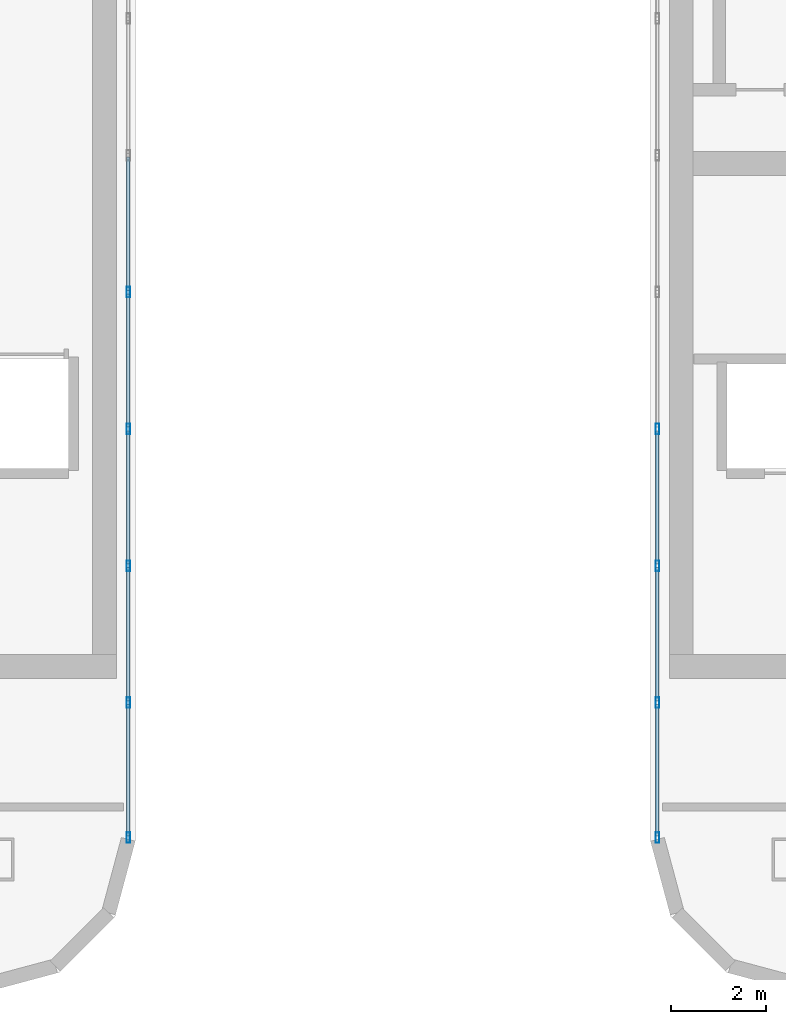
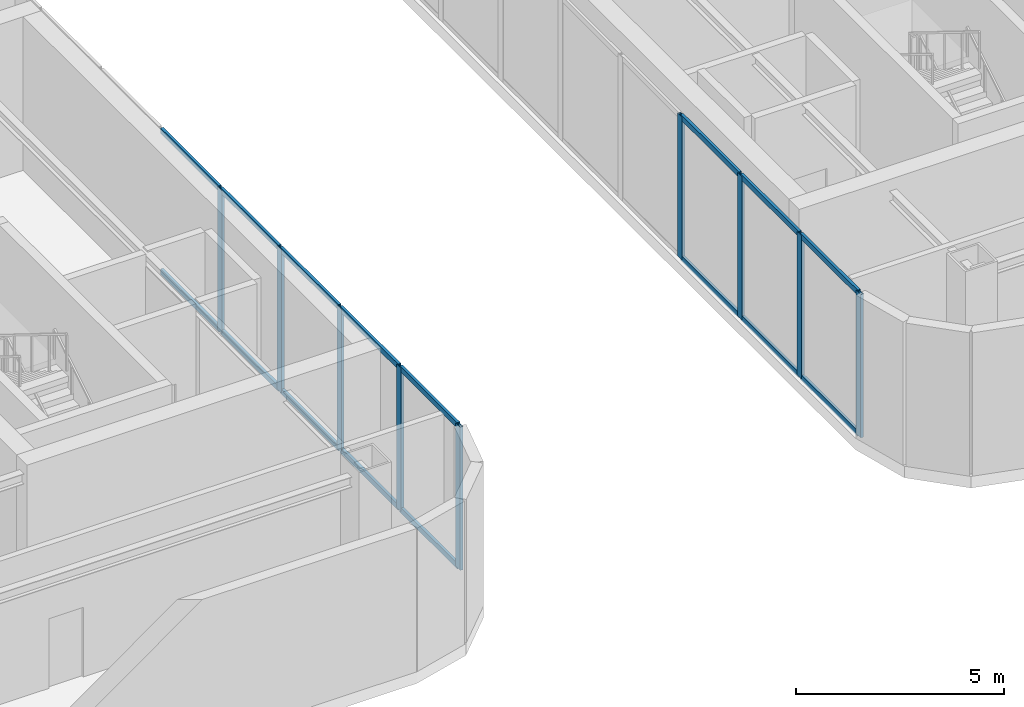
# One storey, part 2 of 14: 25 members, 2 elements without a shape of their own.
"""IFC4 building model written with IfcOpenShell, lengths in metres."""

from ifc_helpers import new_model, si_unit, direction, frame, origin, origin_2d, place, context, subcontext, project, spatial, hollow_rectangle, extrude, material, layer, layer_set, material_profile, profile_set, type_object, element, aggregate, save


model = new_model("IFC4")

# Units and contexts
model_context = context("Model", 3, precision=1e-05, world=origin(), true_north=direction((0.0, 1.0)))
body_context = subcontext(model_context, "Body", "Model", "MODEL_VIEW")
ifc_project = project(units=[si_unit("LENGTHUNIT", "METRE"), si_unit("AREAUNIT", "SQUARE_METRE"), si_unit("VOLUMEUNIT", "CUBIC_METRE"), si_unit("PLANEANGLEUNIT", "RADIAN"), si_unit("MASSUNIT", "GRAM", prefix="KILO")], contexts=[model_context])

# Site, building, storey
site_placement = place(None, origin())
site = spatial("IfcSite", under=ifc_project, at=site_placement, CompositionType="ELEMENT")
building_placement = place(site_placement, origin())
building = spatial("IfcBuilding", under=site, at=building_placement, Name="Kiyonajd Concourse Tower", CompositionType="ELEMENT")
storey_placement = place(building_placement, frame((0.0, 0.0, 359.39990234375)))
storey = spatial("IfcBuildingStorey", under=building, at=storey_placement, Name="L90", CompositionType="ELEMENT", Elevation=359.39990234375)

# Curtain wall, members
ifc_material = material(Name="Thermally Broken Anodised Aluminium", Category="aluminium")
ifc_layer = layer(ifc_material, 0.179931640625)
ifc_layer_set = layer_set([ifc_layer], Name="Thermally Broken Anodised Aluminium")
curtain_wall_type = type_object("IfcCurtainWallType", Name="CW-SYS-06", PredefinedType="NOTDEFINED", material=ifc_layer_set)
curtain_wall_1_placement = place(storey_placement, origin())
curtain_wall_1 = element("IfcCurtainWall", 1, at=curtain_wall_1_placement, inside=storey, type_object=curtain_wall_type, Name="L90 Unitised Curtain Wall CW6", PredefinedType="NOTDEFINED")
ifc_material_profile_1 = material_profile(ifc_material, hollow_rectangle(XDim=0.074951171875, YDim=0.219970703125, WallThickness=0.0048828125, at=origin_2d()), Name="MULL-75x220")
ifc_profile_set_1 = profile_set([ifc_material_profile_1], Name="Thermally Broken Anodised Aluminium")
member_type_1 = type_object("IfcMemberType", Name="MB-CW-MULL2", PredefinedType="MULLION", material=ifc_profile_set_1)
member_1_placement = place(storey_placement, frame((42.449951171875, 35.699951171875, 0.0), z_axis=(0.0, 0.0, 1.0), x_axis=(1.0, 0.0, 0.0)))
member_1 = element("IfcMember", 2, at=member_1_placement, type_object=member_type_1, Name="CW6 mullion 5", PredefinedType="MULLION", context=body_context, shape_type="SweptSolid", body=[
    extrude(hollow_rectangle(XDim=0.074951171875, YDim=0.219970703125, WallThickness=0.0048828125, at=origin_2d()), origin(), (0.0, 0.0, 1.0), 4.2001953125),
])
member_2_placement = place(storey_placement, frame((42.449951171875, 32.829833984375, 0.0), z_axis=(0.0, 0.0, 1.0), x_axis=(1.0, 0.0, 0.0)))
member_2 = element("IfcMember", 3, at=member_2_placement, type_object=member_type_1, Name="CW6 mullion 6", PredefinedType="MULLION", context=body_context, shape_type="SweptSolid", body=[
    extrude(hollow_rectangle(XDim=0.074951171875, YDim=0.219970703125, WallThickness=0.0048828125, at=origin_2d()), origin(), (0.0, 0.0, 1.0), 4.2001953125),
])
member_3_placement = place(storey_placement, frame((42.449951171875, 29.9599609375, 0.0), z_axis=(0.0, 0.0, 1.0), x_axis=(1.0, 0.0, 0.0)))
member_3 = element("IfcMember", 4, at=member_3_placement, type_object=member_type_1, Name="CW6 mullion 7", PredefinedType="MULLION", context=body_context, shape_type="SweptSolid", body=[
    extrude(hollow_rectangle(XDim=0.074951171875, YDim=0.219970703125, WallThickness=0.0048828125, at=origin_2d()), origin(), (0.0, 0.0, 1.0), 4.2001953125),
])
member_4_placement = place(storey_placement, frame((42.449951171875, 27.08984375, 0.0), z_axis=(0.0, 0.0, 1.0), x_axis=(1.0, 0.0, 0.0)))
member_4 = element("IfcMember", 5, at=member_4_placement, type_object=member_type_1, Name="CW6 mullion 8", PredefinedType="MULLION", context=body_context, shape_type="SweptSolid", body=[
    extrude(hollow_rectangle(XDim=0.074951171875, YDim=0.219970703125, WallThickness=0.0048828125, at=origin_2d()), origin(), (0.0, 0.0, 1.0), 4.2001953125),
])
member_5_placement = place(storey_placement, frame((42.449951171875, 24.25732421875, 0.0), z_axis=(0.0, 0.0, 1.0), x_axis=(1.0, 0.0, 0.0)))
member_5 = element("IfcMember", 6, at=member_5_placement, type_object=member_type_1, Name="CW6 mullion 9", PredefinedType="MULLION", context=body_context, shape_type="SweptSolid", body=[
    extrude(hollow_rectangle(XDim=0.074951171875, YDim=0.219970703125, WallThickness=0.0048828125, at=origin_2d()), origin(), (0.0, 0.0, 1.0), 4.2001953125),
])

curtain_wall_2_placement = place(storey_placement, origin())
curtain_wall_2 = element("IfcCurtainWall", 7, at=curtain_wall_2_placement, inside=storey, type_object=curtain_wall_type, Name="L90 Unitised Curtain Wall CW6", PredefinedType="NOTDEFINED")
member_6_placement = place(storey_placement, frame((53.550048828125, 24.25732421875, 0.0), z_axis=(0.0, 0.0, 1.0), x_axis=(-1.0, 0.0, 0.0)))
member_6 = element("IfcMember", 8, at=member_6_placement, type_object=member_type_1, Name="CW6 mullion 1", PredefinedType="MULLION", context=body_context, shape_type="SweptSolid", body=[
    extrude(hollow_rectangle(XDim=0.074951171875, YDim=0.219970703125, WallThickness=0.0048828125, at=origin_2d()), origin(), (0.0, 0.0, 1.0), 4.2001953125),
])
member_7_placement = place(storey_placement, frame((53.550048828125, 27.08984375, 0.0), z_axis=(0.0, 0.0, 1.0), x_axis=(-1.0, 0.0, 0.0)))
member_7 = element("IfcMember", 9, at=member_7_placement, type_object=member_type_1, Name="CW6 mullion 2", PredefinedType="MULLION", context=body_context, shape_type="SweptSolid", body=[
    extrude(hollow_rectangle(XDim=0.074951171875, YDim=0.219970703125, WallThickness=0.0048828125, at=origin_2d()), origin(), (0.0, 0.0, 1.0), 4.2001953125),
])
member_8_placement = place(storey_placement, frame((53.550048828125, 29.9599609375, 0.0), z_axis=(0.0, 0.0, 1.0), x_axis=(-1.0, 0.0, 0.0)))
member_8 = element("IfcMember", 10, at=member_8_placement, type_object=member_type_1, Name="CW6 mullion 3", PredefinedType="MULLION", context=body_context, shape_type="SweptSolid", body=[
    extrude(hollow_rectangle(XDim=0.074951171875, YDim=0.219970703125, WallThickness=0.0048828125, at=origin_2d()), origin(), (0.0, 0.0, 1.0), 4.2001953125),
])
member_9_placement = place(storey_placement, frame((53.550048828125, 32.829833984375, 0.0), z_axis=(0.0, 0.0, 1.0), x_axis=(-1.0, 0.0, 0.0)))
member_9 = element("IfcMember", 11, at=member_9_placement, type_object=member_type_1, Name="CW6 mullion 4", PredefinedType="MULLION", context=body_context, shape_type="SweptSolid", body=[
    extrude(hollow_rectangle(XDim=0.074951171875, YDim=0.219970703125, WallThickness=0.0048828125, at=origin_2d()), origin(), (0.0, 0.0, 1.0), 4.2001953125),
])

# Member
ifc_material_profile_2 = material_profile(ifc_material, hollow_rectangle(XDim=0.074951171875, YDim=0.159912109375, WallThickness=0.0048828125, at=origin_2d()), Name="TRAN-75x160")
ifc_profile_set_2 = profile_set([ifc_material_profile_2], Name="Thermally Broken Anodised Aluminium")
member_type_2 = type_object("IfcMemberType", Name="MB-CW-TRAN2", PredefinedType="USERDEFINED", material=ifc_profile_set_2)
member_10_placement = place(storey_placement, frame((42.449951171875, 38.532470703125, 0.03759765625), z_axis=(0.0, -1.0, 0.0), x_axis=(1.0, 0.0, 0.0)))
member_10 = element("IfcMember", 12, at=member_10_placement, type_object=member_type_2, Name="CW6 transom 4.1", ObjectType="TRANSOM", PredefinedType="USERDEFINED", context=body_context, shape_type="SweptSolid", body=[
    extrude(hollow_rectangle(XDim=0.074951171875, YDim=0.159912109375, WallThickness=0.0048828125, at=origin_2d()), origin(), (0.0, 0.0, 1.0), 2.794921875),
])

member_11_placement = place(storey_placement, frame((42.449951171875, 38.532470703125, 4.16259765625), z_axis=(0.0, -1.0, 0.0), x_axis=(1.0, 0.0, 0.0)))
member_11 = element("IfcMember", 13, at=member_11_placement, type_object=member_type_2, Name="CW6 transom 4.2", ObjectType="TRANSOM", PredefinedType="USERDEFINED", context=body_context, shape_type="SweptSolid", body=[
    extrude(hollow_rectangle(XDim=0.074951171875, YDim=0.159912109375, WallThickness=0.0048828125, at=origin_2d()), origin(), (0.0, 0.0, 1.0), 2.794921875),
])

member_12_placement = place(storey_placement, frame((42.449951171875, 35.66259765625, 0.03759765625), z_axis=(0.0, -1.0, 0.0), x_axis=(1.0, 0.0, 0.0)))
member_12 = element("IfcMember", 14, at=member_12_placement, type_object=member_type_2, Name="CW6 transom 5.1", ObjectType="TRANSOM", PredefinedType="USERDEFINED", context=body_context, shape_type="SweptSolid", body=[
    extrude(hollow_rectangle(XDim=0.074951171875, YDim=0.159912109375, WallThickness=0.0048828125, at=origin_2d()), origin(), (0.0, 0.0, 1.0), 2.795166015625),
])

member_13_placement = place(storey_placement, frame((42.449951171875, 35.66259765625, 4.16259765625), z_axis=(0.0, -1.0, 0.0), x_axis=(1.0, 0.0, 0.0)))
member_13 = element("IfcMember", 15, at=member_13_placement, type_object=member_type_2, Name="CW6 transom 5.2", ObjectType="TRANSOM", PredefinedType="USERDEFINED", context=body_context, shape_type="SweptSolid", body=[
    extrude(hollow_rectangle(XDim=0.074951171875, YDim=0.159912109375, WallThickness=0.0048828125, at=origin_2d()), origin(), (0.0, 0.0, 1.0), 2.795166015625),
])

member_14_placement = place(storey_placement, frame((42.449951171875, 32.79248046875, 0.03759765625), z_axis=(0.0, -1.0, 0.0), x_axis=(1.0, 0.0, 0.0)))
member_14 = element("IfcMember", 16, at=member_14_placement, type_object=member_type_2, Name="CW6 transom 6.1", ObjectType="TRANSOM", PredefinedType="USERDEFINED", context=body_context, shape_type="SweptSolid", body=[
    extrude(hollow_rectangle(XDim=0.074951171875, YDim=0.159912109375, WallThickness=0.0048828125, at=origin_2d()), origin(), (0.0, 0.0, 1.0), 2.795166015625),
])

member_15_placement = place(storey_placement, frame((42.449951171875, 32.79248046875, 4.16259765625), z_axis=(0.0, -1.0, 0.0), x_axis=(1.0, 0.0, 0.0)))
member_15 = element("IfcMember", 17, at=member_15_placement, type_object=member_type_2, Name="CW6 transom 6.2", ObjectType="TRANSOM", PredefinedType="USERDEFINED", context=body_context, shape_type="SweptSolid", body=[
    extrude(hollow_rectangle(XDim=0.074951171875, YDim=0.159912109375, WallThickness=0.0048828125, at=origin_2d()), origin(), (0.0, 0.0, 1.0), 2.795166015625),
])

member_16_placement = place(storey_placement, frame((42.449951171875, 29.92236328125, 0.03759765625), z_axis=(0.0, -1.0, 0.0), x_axis=(1.0, 0.0, 0.0)))
member_16 = element("IfcMember", 18, at=member_16_placement, type_object=member_type_2, Name="CW6 transom 7.1", ObjectType="TRANSOM", PredefinedType="USERDEFINED", context=body_context, shape_type="SweptSolid", body=[
    extrude(hollow_rectangle(XDim=0.074951171875, YDim=0.159912109375, WallThickness=0.0048828125, at=origin_2d()), origin(), (0.0, 0.0, 1.0), 2.794921875),
])

member_17_placement = place(storey_placement, frame((42.449951171875, 29.92236328125, 4.16259765625), z_axis=(0.0, -1.0, 0.0), x_axis=(1.0, 0.0, 0.0)))
member_17 = element("IfcMember", 19, at=member_17_placement, type_object=member_type_2, Name="CW6 transom 7.2", ObjectType="TRANSOM", PredefinedType="USERDEFINED", context=body_context, shape_type="SweptSolid", body=[
    extrude(hollow_rectangle(XDim=0.074951171875, YDim=0.159912109375, WallThickness=0.0048828125, at=origin_2d()), origin(), (0.0, 0.0, 1.0), 2.794921875),
])

member_18_placement = place(storey_placement, frame((42.449951171875, 27.05224609375, 0.03759765625), z_axis=(0.0, -1.0, 0.0), x_axis=(1.0, 0.0, 0.0)))
member_18 = element("IfcMember", 20, at=member_18_placement, type_object=member_type_2, Name="CW6 transom 8.1", ObjectType="TRANSOM", PredefinedType="USERDEFINED", context=body_context, shape_type="SweptSolid", body=[
    extrude(hollow_rectangle(XDim=0.074951171875, YDim=0.159912109375, WallThickness=0.0048828125, at=origin_2d()), origin(), (0.0, 0.0, 1.0), 2.75732421875),
])

member_19_placement = place(storey_placement, frame((42.449951171875, 27.05224609375, 4.16259765625), z_axis=(0.0, -1.0, 0.0), x_axis=(1.0, 0.0, 0.0)))
member_19 = element("IfcMember", 21, at=member_19_placement, type_object=member_type_2, Name="CW6 transom 8.2", ObjectType="TRANSOM", PredefinedType="USERDEFINED", context=body_context, shape_type="SweptSolid", body=[
    extrude(hollow_rectangle(XDim=0.074951171875, YDim=0.159912109375, WallThickness=0.0048828125, at=origin_2d()), origin(), (0.0, 0.0, 1.0), 2.75732421875),
])

aggregate(curtain_wall_1, [member_1, member_2, member_3, member_4, member_5, member_10, member_11, member_12, member_13, member_14, member_15, member_16, member_17, member_18, member_19])

member_20_placement = place(storey_placement, frame((53.550048828125, 24.294921875, 0.03759765625), z_axis=(0.0, 1.0, 0.0), x_axis=(-1.0, 0.0, 0.0)))
member_20 = element("IfcMember", 22, at=member_20_placement, type_object=member_type_2, Name="CW6 transom 1.1", ObjectType="TRANSOM", PredefinedType="USERDEFINED", context=body_context, shape_type="SweptSolid", body=[
    extrude(hollow_rectangle(XDim=0.074951171875, YDim=0.159912109375, WallThickness=0.0048828125, at=origin_2d()), origin(), (0.0, 0.0, 1.0), 2.75732421875),
])

member_21_placement = place(storey_placement, frame((53.550048828125, 24.294921875, 4.16259765625), z_axis=(0.0, 1.0, 0.0), x_axis=(-1.0, 0.0, 0.0)))
member_21 = element("IfcMember", 23, at=member_21_placement, type_object=member_type_2, Name="CW6 transom 1.2", ObjectType="TRANSOM", PredefinedType="USERDEFINED", context=body_context, shape_type="SweptSolid", body=[
    extrude(hollow_rectangle(XDim=0.074951171875, YDim=0.159912109375, WallThickness=0.0048828125, at=origin_2d()), origin(), (0.0, 0.0, 1.0), 2.75732421875),
])

member_22_placement = place(storey_placement, frame((53.550048828125, 27.12744140625, 0.03759765625), z_axis=(0.0, 1.0, 0.0), x_axis=(-1.0, 0.0, 0.0)))
member_22 = element("IfcMember", 24, at=member_22_placement, type_object=member_type_2, Name="CW6 transom 2.1", ObjectType="TRANSOM", PredefinedType="USERDEFINED", context=body_context, shape_type="SweptSolid", body=[
    extrude(hollow_rectangle(XDim=0.074951171875, YDim=0.159912109375, WallThickness=0.0048828125, at=origin_2d()), origin(), (0.0, 0.0, 1.0), 2.794921875),
])

member_23_placement = place(storey_placement, frame((53.550048828125, 27.12744140625, 4.16259765625), z_axis=(0.0, 1.0, 0.0), x_axis=(-1.0, 0.0, 0.0)))
member_23 = element("IfcMember", 25, at=member_23_placement, type_object=member_type_2, Name="CW6 transom 2.2", ObjectType="TRANSOM", PredefinedType="USERDEFINED", context=body_context, shape_type="SweptSolid", body=[
    extrude(hollow_rectangle(XDim=0.074951171875, YDim=0.159912109375, WallThickness=0.0048828125, at=origin_2d()), origin(), (0.0, 0.0, 1.0), 2.794921875),
])

member_24_placement = place(storey_placement, frame((53.550048828125, 29.997314453125, 0.03759765625), z_axis=(0.0, 1.0, 0.0), x_axis=(-1.0, 0.0, 0.0)))
member_24 = element("IfcMember", 26, at=member_24_placement, type_object=member_type_2, Name="CW6 transom 3.1", ObjectType="TRANSOM", PredefinedType="USERDEFINED", context=body_context, shape_type="SweptSolid", body=[
    extrude(hollow_rectangle(XDim=0.074951171875, YDim=0.159912109375, WallThickness=0.0048828125, at=origin_2d()), origin(), (0.0, 0.0, 1.0), 2.795166015625),
])

member_25_placement = place(storey_placement, frame((53.550048828125, 29.997314453125, 4.16259765625), z_axis=(0.0, 1.0, 0.0), x_axis=(-1.0, 0.0, 0.0)))
member_25 = element("IfcMember", 27, at=member_25_placement, type_object=member_type_2, Name="CW6 transom 3.2", ObjectType="TRANSOM", PredefinedType="USERDEFINED", context=body_context, shape_type="SweptSolid", body=[
    extrude(hollow_rectangle(XDim=0.074951171875, YDim=0.159912109375, WallThickness=0.0048828125, at=origin_2d()), origin(), (0.0, 0.0, 1.0), 2.795166015625),
])

aggregate(curtain_wall_2, [member_6, member_7, member_8, member_9, member_20, member_21, member_22, member_23, member_24, member_25])

save(model, "model.ifc")
